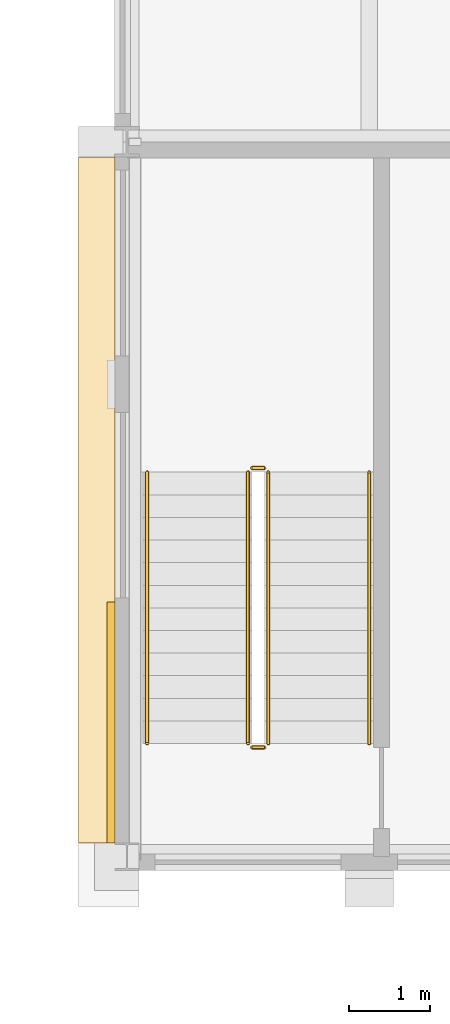
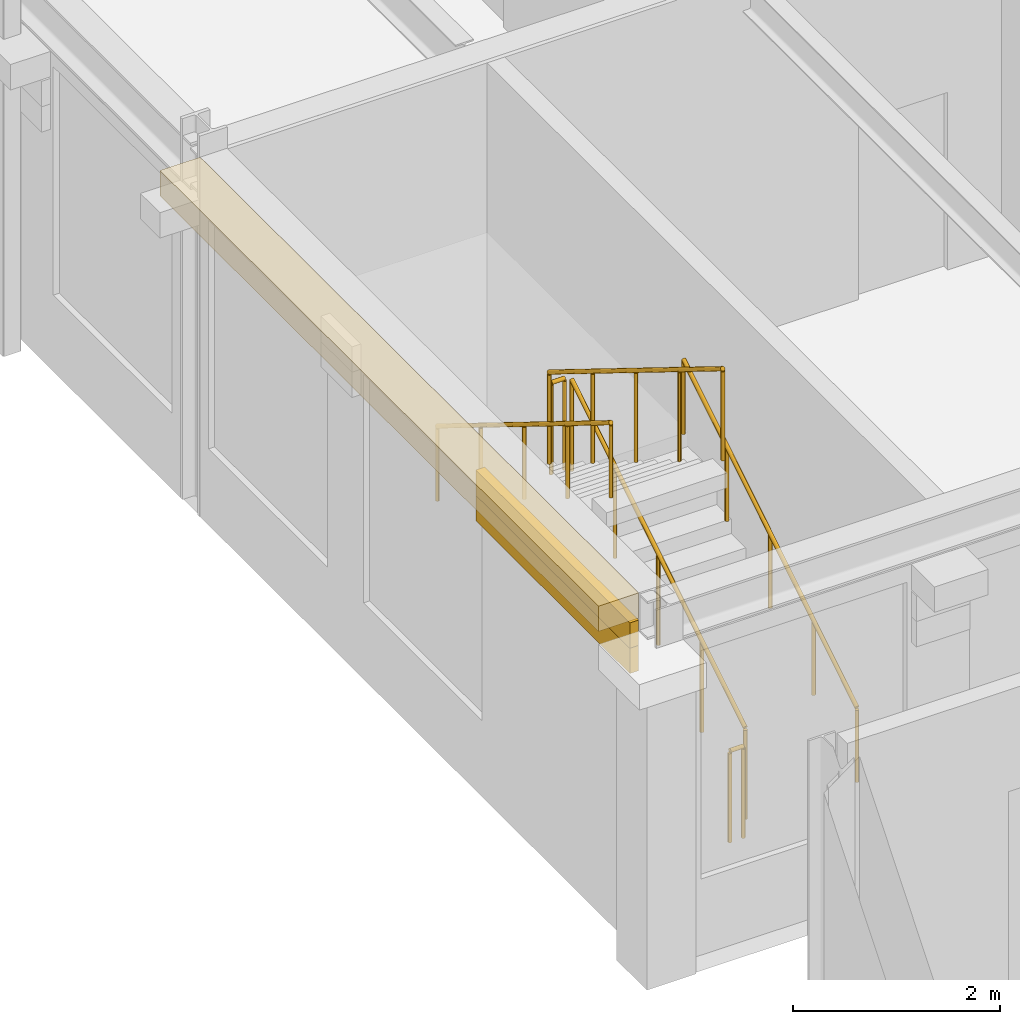
# One storey, part 132 of 153: 6 railings, 3 coverings.
"""IFC4 building model written with IfcOpenShell, lengths in metres."""

from ifc_helpers import new_model, si_unit, direction, frame, origin, origin_2d, place, context, subcontext, project, spatial, rectangle, circle, extrude, material, layer, layer_set, type_object, element, save


model = new_model("IFC4")

# Units and contexts
model_context = context("Model", 3, precision=1e-05, world=origin(), true_north=direction((0.0, 1.0)))
body_context = subcontext(model_context, "Body", "Model", "MODEL_VIEW")
ifc_project = project(units=[si_unit("LENGTHUNIT", "METRE"), si_unit("AREAUNIT", "SQUARE_METRE"), si_unit("VOLUMEUNIT", "CUBIC_METRE"), si_unit("PLANEANGLEUNIT", "RADIAN"), si_unit("MASSUNIT", "GRAM", prefix="KILO")], contexts=[model_context])

# Site, building, storey
site_placement = place(None, origin())
site = spatial("IfcSite", under=ifc_project, at=site_placement, CompositionType="ELEMENT")
building_placement = place(site_placement, origin())
building = spatial("IfcBuilding", under=site, at=building_placement, Name="Kallimachos Central Library", CompositionType="ELEMENT")
storey_placement = place(building_placement, frame((0.0, 0.0, 5.39990234375)))
storey = spatial("IfcBuildingStorey", under=building, at=storey_placement, Name="L01", CompositionType="ELEMENT", Elevation=5.39990234375)

# Coverings
ifc_material_1 = material(Name="Glazed ceramic frieze, green")
ifc_layer_1 = layer(ifc_material_1, 0.10009765625)
ifc_layer_set_1 = layer_set([ifc_layer_1], Name="Glazed ceramic frieze, green")
covering_type_1 = type_object("IfcCoveringType", Name="Glazed ceramic frieze, green", PredefinedType="CLADDING", material=ifc_layer_set_1)
covering_1_placement = place(storey_placement, frame((65.300048828125, 49.81005859375, 3.6298828125), z_axis=(0.0, 0.0, 1.0), x_axis=(1.0, 0.0, 0.0)))
element("IfcCovering", 1, at=covering_1_placement, inside=storey, type_object=covering_type_1, Name="Glazed ceramic frieze, green -L01-025", PredefinedType="CLADDING", context=body_context, shape_type="SweptSolid", body=[
    extrude(rectangle(XDim=0.10009765625, YDim=2.97998046875, at=origin_2d()), origin(), (0.0, 0.0, 1.0), 0.300048828125),
])
ifc_material_2 = material(Name="Glazed ceramic frieze, ochre")
ifc_layer_2 = layer(ifc_material_2, 0.10009765625)
ifc_layer_set_2 = layer_set([ifc_layer_2], Name="Glazed ceramic frieze, ochre")
covering_type_2 = type_object("IfcCoveringType", Name="Glazed ceramic frieze, ochre", PredefinedType="CLADDING", material=ifc_layer_set_2)
covering_2_placement = place(storey_placement, frame((65.300048828125, 49.81005859375, 3.330078125), z_axis=(0.0, 0.0, 1.0), x_axis=(1.0, 0.0, 0.0)))
element("IfcCovering", 2, at=covering_2_placement, inside=storey, type_object=covering_type_2, Name="Glazed ceramic frieze, ochre -L01-025", PredefinedType="CLADDING", context=body_context, shape_type="SweptSolid", body=[
    extrude(rectangle(XDim=0.10009765625, YDim=2.97998046875, at=origin_2d()), origin(), (0.0, 0.0, 1.0), 0.300048828125),
])

# Railings
ifc_material_3 = material(Name="Wrought iron")
railing_type_1 = type_object("IfcRailingType", Name="Stair guard", PredefinedType="GUARDRAIL", material=ifc_material_3)
railing_1_placement = place(storey_placement, frame((67.25, 49.550048828125, 0.173095703125)))
element("IfcRailing", 3, at=railing_1_placement, inside=storey, type_object=railing_type_1, Name="L01 ST11 stair guard 1", PredefinedType="GUARDRAIL", context=body_context, shape_type="SweptSolid", body=[
    extrude(circle(Radius=0.02392578125, at=origin_2d()), frame((0.0, 0.0, 1.076171875), z_axis=(0.0, 0.850606129759, 0.525803396734), x_axis=(-1.0, 0.0, 0.0)), (0.0, 0.0, 1.0), 3.949951171875),
    extrude(circle(Radius=0.02099609375, at=origin_2d()), origin(), (0.0, 0.0, 1.0), 1.052001953125),
    extrude(circle(Radius=0.02099609375, at=origin_2d()), frame((0.0, 0.83984375, 0.519287109375)), (0.0, 0.0, 1.0), 1.052001953125),
    extrude(circle(Radius=0.02099609375, at=origin_2d()), frame((0.0, 1.679931640625, 1.03857421875)), (0.0, 0.0, 1.0), 1.052001953125),
    extrude(circle(Radius=0.02099609375, at=origin_2d()), frame((0.0, 2.52001953125, 1.5576171875)), (0.0, 0.0, 1.0), 1.052001953125),
    extrude(circle(Radius=0.02099609375, at=origin_2d()), frame((0.0, 3.35986328125, 2.076904296875)), (0.0, 0.0, 1.0), 1.052001953125),
])
railing_2_placement = place(storey_placement, frame((67.199951171875, 52.9599609375, 2.25)))
element("IfcRailing", 4, at=railing_2_placement, inside=storey, type_object=railing_type_1, Name="L01 ST11 stair guard 2", PredefinedType="GUARDRAIL", context=body_context, shape_type="SweptSolid", body=[
    extrude(circle(Radius=0.02392578125, at=origin_2d()), frame((0.0, 0.0, 1.076171875), z_axis=(-1.0, 0.0, 0.0), x_axis=(0.0, -1.0, 0.0)), (0.0, 0.0, 1.0), 0.14990234375),
    extrude(circle(Radius=0.02099609375, at=origin_2d()), origin(), (0.0, 0.0, 1.0), 1.052001953125),
    extrude(circle(Radius=0.02099609375, at=origin_2d()), frame((-0.14990234375, 0.0, 0.0)), (0.0, 0.0, 1.0), 1.052001953125),
])
railing_3_placement = place(storey_placement, frame((67.0, 52.909912109375, 2.423095703125)))
element("IfcRailing", 5, at=railing_3_placement, inside=storey, type_object=railing_type_1, Name="L01 ST11 stair guard 3", PredefinedType="GUARDRAIL", context=body_context, shape_type="SweptSolid", body=[
    extrude(circle(Radius=0.02392578125, at=origin_2d()), frame((0.0, 0.0, 1.076171875), z_axis=(0.0, -0.850606129759, 0.525803396734), x_axis=(1.0, 0.0, 0.0)), (0.0, 0.0, 1.0), 3.949951171875),
    extrude(circle(Radius=0.02099609375, at=origin_2d()), origin(), (0.0, 0.0, 1.0), 1.052001953125),
    extrude(circle(Radius=0.02099609375, at=origin_2d()), frame((0.0, -0.83984375, 0.519287109375)), (0.0, 0.0, 1.0), 1.052001953125),
    extrude(circle(Radius=0.02099609375, at=origin_2d()), frame((0.0, -1.679931640625, 1.03857421875)), (0.0, 0.0, 1.0), 1.052001953125),
    extrude(circle(Radius=0.02099609375, at=origin_2d()), frame((0.0, -2.52001953125, 1.5576171875)), (0.0, 0.0, 1.0), 1.052001953125),
    extrude(circle(Radius=0.02099609375, at=origin_2d()), frame((0.0, -3.35986328125, 2.076904296875)), (0.0, 0.0, 1.0), 1.052001953125),
])
railing_4_placement = place(storey_placement, frame((67.199951171875, 49.5, 0.0)))
element("IfcRailing", 6, at=railing_4_placement, inside=storey, type_object=railing_type_1, Name="L01 ST11 stair guard 4", PredefinedType="GUARDRAIL", context=body_context, shape_type="SweptSolid", body=[
    extrude(circle(Radius=0.02392578125, at=origin_2d()), frame((0.0, 0.0, 1.076171875), z_axis=(-1.0, 0.0, 0.0), x_axis=(0.0, -1.0, 0.0)), (0.0, 0.0, 1.0), 0.14990234375),
    extrude(circle(Radius=0.02099609375, at=origin_2d()), origin(), (0.0, 0.0, 1.0), 1.052001953125),
    extrude(circle(Radius=0.02099609375, at=origin_2d()), frame((-0.14990234375, 0.0, 0.0)), (0.0, 0.0, 1.0), 1.052001953125),
])
ifc_material_4 = material(Name="Wrought iron")
railing_type_2 = type_object("IfcRailingType", Name="Stair handrail", PredefinedType="HANDRAIL", material=ifc_material_4)
railing_5_placement = place(storey_placement, frame((68.5, 49.550048828125, 0.173095703125)))
element("IfcRailing", 7, at=railing_5_placement, inside=storey, type_object=railing_type_2, Name="L01 ST11 stair handrail 1", PredefinedType="HANDRAIL", context=body_context, shape_type="SweptSolid", body=[
    extrude(circle(Radius=0.02392578125, at=origin_2d()), frame((0.0, 0.0, 0.8759765625), z_axis=(0.0, 0.850606129759, 0.525803396734), x_axis=(-1.0, 0.0, 0.0)), (0.0, 0.0, 1.0), 3.949951171875),
    extrude(circle(Radius=0.02099609375, at=origin_2d()), origin(), (0.0, 0.0, 1.0), 0.851806640625),
    extrude(circle(Radius=0.02099609375, at=origin_2d()), frame((0.0, 0.83984375, 0.519287109375)), (0.0, 0.0, 1.0), 0.851806640625),
    extrude(circle(Radius=0.02099609375, at=origin_2d()), frame((0.0, 1.679931640625, 1.03857421875)), (0.0, 0.0, 1.0), 0.851806640625),
    extrude(circle(Radius=0.02099609375, at=origin_2d()), frame((0.0, 2.52001953125, 1.5576171875)), (0.0, 0.0, 1.0), 0.851806640625),
    extrude(circle(Radius=0.02099609375, at=origin_2d()), frame((0.0, 3.35986328125, 2.076904296875)), (0.0, 0.0, 1.0), 0.851806640625),
])
railing_6_placement = place(storey_placement, frame((65.75, 52.909912109375, 2.423095703125)))
element("IfcRailing", 8, at=railing_6_placement, inside=storey, type_object=railing_type_2, Name="L01 ST11 stair handrail 2", PredefinedType="HANDRAIL", context=body_context, shape_type="SweptSolid", body=[
    extrude(circle(Radius=0.02392578125, at=origin_2d()), frame((0.0, 0.0, 0.8759765625), z_axis=(0.0, -0.850606129759, 0.525803396734), x_axis=(1.0, 0.0, 0.0)), (0.0, 0.0, 1.0), 3.949951171875),
    extrude(circle(Radius=0.02099609375, at=origin_2d()), origin(), (0.0, 0.0, 1.0), 0.851806640625),
    extrude(circle(Radius=0.02099609375, at=origin_2d()), frame((0.0, -0.83984375, 0.519287109375)), (0.0, 0.0, 1.0), 0.851806640625),
    extrude(circle(Radius=0.02099609375, at=origin_2d()), frame((0.0, -1.679931640625, 1.03857421875)), (0.0, 0.0, 1.0), 0.851806640625),
    extrude(circle(Radius=0.02099609375, at=origin_2d()), frame((0.0, -2.52001953125, 1.5576171875)), (0.0, 0.0, 1.0), 0.851806640625),
    extrude(circle(Radius=0.02099609375, at=origin_2d()), frame((0.0, -3.35986328125, 2.076904296875)), (0.0, 0.0, 1.0), 0.851806640625),
])

# Covering
ifc_material_5 = material(Name="Pentelic marble cornice", Category="masonry")
ifc_layer_3 = layer(ifc_material_5, 0.449951171875)
ifc_layer_set_3 = layer_set([ifc_layer_3], Name="Stone cornice 450")
covering_type_3 = type_object("IfcCoveringType", Name="Stone cornice 450", PredefinedType="MOLDING", material=ifc_layer_set_3)
covering_3_placement = place(storey_placement, frame((65.125, 52.56591796875, 3.9501953125), z_axis=(0.0, 0.0, 1.0), x_axis=(1.0, 0.0, 0.0)))
element("IfcCovering", 9, at=covering_3_placement, inside=storey, type_object=covering_type_3, Name="Stone cornice 450 -L01-025", PredefinedType="MOLDING", context=body_context, shape_type="SweptSolid", body=[
    extrude(rectangle(XDim=0.449951171875, YDim=8.491455078125, at=origin_2d()), origin(), (0.0, 0.0, 1.0), 0.300048828125),
])

save(model, "model.ifc")
